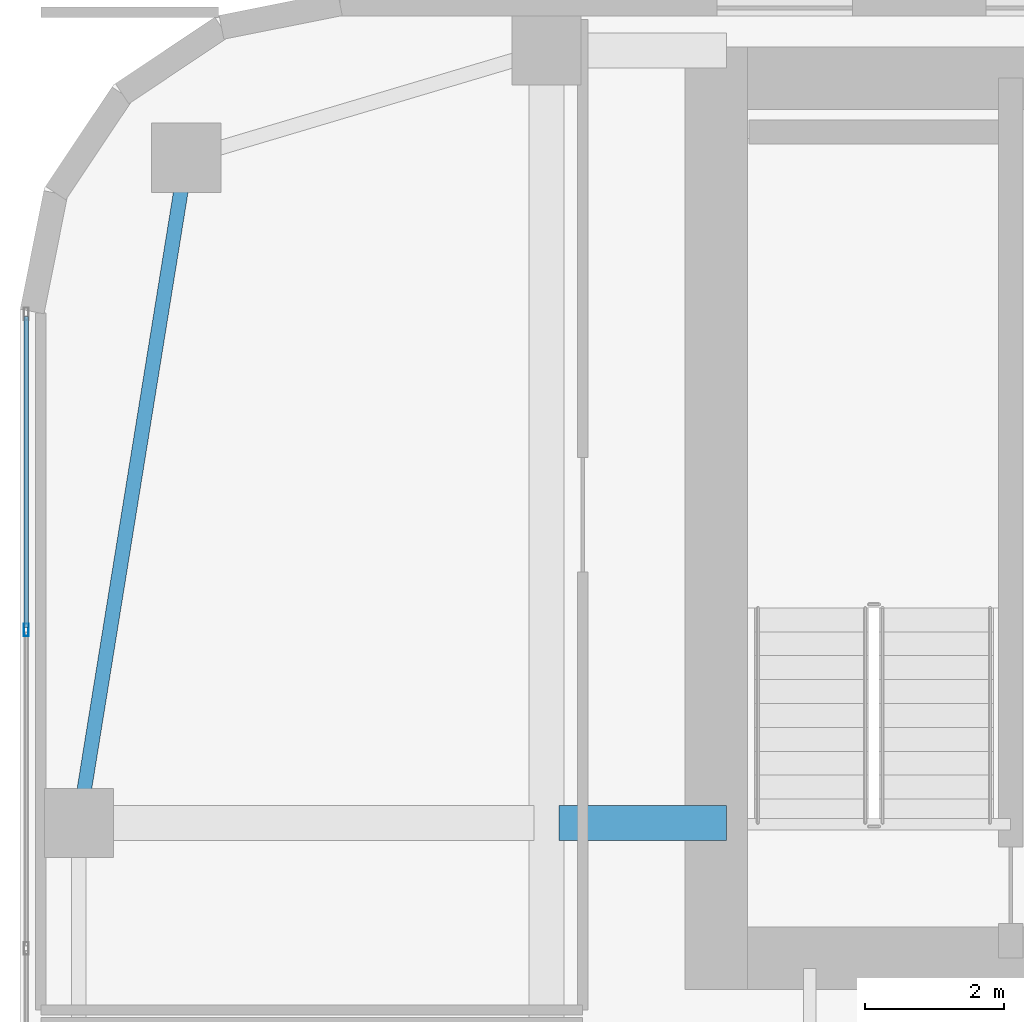
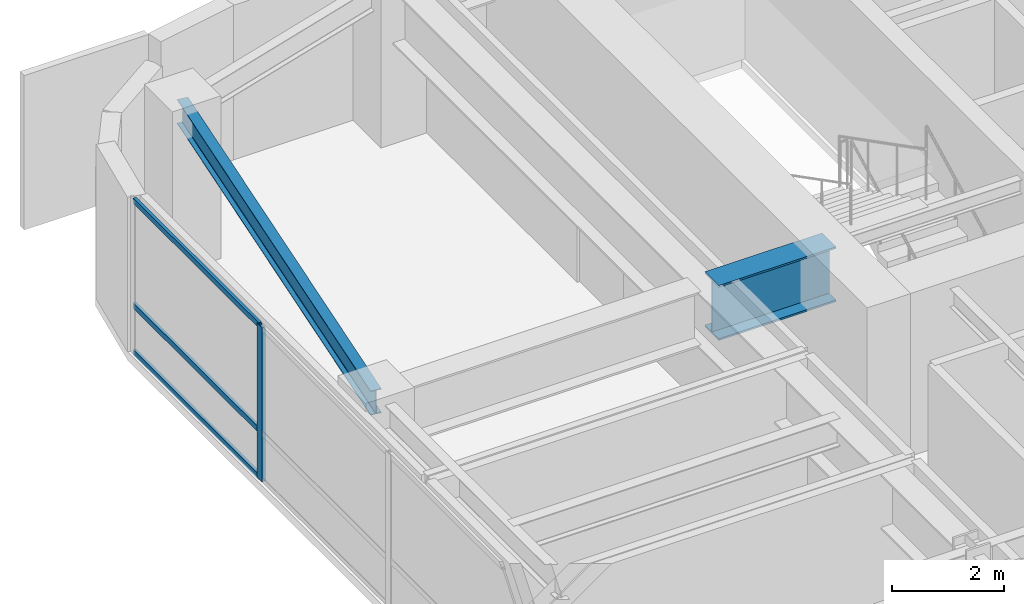
# One storey, part 19 of 30: 4 members, 2 beams, 1 element without a shape of its own.
"""IFC4 building model written with IfcOpenShell, lengths in metres."""

from ifc_helpers import new_model, si_unit, direction, frame, origin, origin_2d, place, context, subcontext, project, spatial, hollow_rectangle, i_section, extrude, source, transform, mapped, material, layer, layer_set, material_profile, profile_set, type_object, type_shapes, element, aggregate, save


model = new_model("IFC4")

# Units and contexts
model_context = context("Model", 3, precision=1e-05, world=origin(), true_north=direction((0.0, 1.0)))
body_context = subcontext(model_context, "Body", "Model", "MODEL_VIEW")
ifc_project = project(units=[si_unit("LENGTHUNIT", "METRE"), si_unit("AREAUNIT", "SQUARE_METRE"), si_unit("VOLUMEUNIT", "CUBIC_METRE"), si_unit("PLANEANGLEUNIT", "RADIAN"), si_unit("MASSUNIT", "GRAM", prefix="KILO")], contexts=[model_context])

# Site, building, storey
site_placement = place(None, origin())
site = spatial("IfcSite", under=ifc_project, at=site_placement, CompositionType="ELEMENT")
building_placement = place(site_placement, origin())
building = spatial("IfcBuilding", under=site, at=building_placement, Name="Tolvann Quenvar Hotel", CompositionType="ELEMENT")
storey_placement = place(building_placement, frame((0.0, 0.0, 56.85009765625)))
storey = spatial("IfcBuildingStorey", under=building, at=storey_placement, Name="L13", CompositionType="ELEMENT", Elevation=56.85009765625)

# Beams
ifc_material_1 = material(Name="Steel Grade 350", Category="steel")
ifc_material_profile_1 = material_profile(ifc_material_1, i_section(OverallWidth=0.208984375, OverallDepth=0.528076171875, WebThickness=0.009521484375, FlangeThickness=0.01318359375, FilletRadius=0.013916015625, at=origin_2d()), Name="530UB82")
ifc_profile_set_1 = profile_set([ifc_material_profile_1], Name="Steel Grade 350")
beam_type_1 = type_object("IfcBeamType", Name="BM_SPAND_530UB82", PredefinedType="SPANDREL", material=ifc_profile_set_1)
shared_shape_1 = source(origin(), body_context, "Body", "SweptSolid", [
    extrude(i_section(OverallWidth=0.208984375, OverallDepth=0.528076171875, WebThickness=0.009521484375, FlangeThickness=0.01318359375, FilletRadius=0.013916015625, at=origin_2d()), origin(), (0.0, 0.0, 1.0), 9.724365234375),
])
type_shapes(beam_type_1, [shared_shape_1])
beam_1_placement = place(storey_placement, frame((0.85009765625, 34.0, 3.10595703125), z_axis=(0.159372939192, 0.987218449105, 0.0), x_axis=(-0.987218449105, 0.159372939192, 0.0)))
element("IfcBeam", 1, at=beam_1_placement, inside=storey, type_object=beam_type_1, Name="BM-L13-FLK-W2", PredefinedType="SPANDREL", context=body_context, shape_type="MappedRepresentation", body=[
    mapped(shared_shape_1, transform((0.0, 0.0, 0.0), x_axis=(1.0, 0.0, 0.0), y_axis=(0.0, 1.0, 0.0), z_axis=(0.0, 0.0, 1.0), scale=1.0)),
])
ifc_material_profile_2 = material_profile(ifc_material_1, i_section(OverallWidth=0.5, OverallDepth=1.199951171875, WebThickness=0.01611328125, FlangeThickness=0.0400390625, at=origin_2d()), Name="1200WB455")
ifc_profile_set_2 = profile_set([ifc_material_profile_2], Name="Steel Grade 350")
beam_type_2 = type_object("IfcBeamType", Name="BM_TG_1200WB455", PredefinedType="USERDEFINED", material=ifc_profile_set_2)
shared_shape_2 = source(origin(), body_context, "Body", "SweptSolid", [
    extrude(i_section(OverallWidth=0.5, OverallDepth=1.199951171875, WebThickness=0.01611328125, FlangeThickness=0.0400390625, at=origin_2d()), origin(), (0.0, 0.0, 1.0), 2.419921875),
])
type_shapes(beam_type_2, [shared_shape_2])
beam_2_placement = place(storey_placement, frame((7.780029296875, 34.0, 2.77001953125), z_axis=(1.0, 0.0, 0.0), x_axis=(0.0, 1.0, 0.0)))
element("IfcBeam", 2, at=beam_2_placement, inside=storey, type_object=beam_type_2, Name="BM-L13-CTW-MID2", ObjectType="TRANSFER GIRDER", PredefinedType="USERDEFINED", context=body_context, shape_type="MappedRepresentation", body=[
    mapped(shared_shape_2, transform((0.0, 0.0, 0.0), x_axis=(1.0, 0.0, 0.0), y_axis=(0.0, 1.0, 0.0), z_axis=(0.0, 0.0, 1.0), scale=1.0)),
])

# Curtain wall, members
ifc_material_2 = material(Name="Thermally broken anodised architectural aluminium 6063-T6 and laminated low-E glass", Category="aluminium")
ifc_layer = layer(ifc_material_2, 0.179931640625)
ifc_layer_set = layer_set([ifc_layer], Name="Thermally broken anodised architectural aluminium 6063-T6 and laminated low-E glass")
curtain_wall_type = type_object("IfcCurtainWallType", Name="CW_SYS_BAND_04", PredefinedType="USERDEFINED", material=ifc_layer_set)
curtain_wall_placement = place(storey_placement, origin())
curtain_wall = element("IfcCurtainWall", 3, at=curtain_wall_placement, inside=storey, type_object=curtain_wall_type, Name="Curtain Wall CW-BAND-04 (CWR-L13-E23)", ObjectType="UNITISED CURTAIN WALL", PredefinedType="USERDEFINED")
ifc_material_3 = material(Name="Anodised architectural aluminium 6063-T6 framing", Category="aluminium")
ifc_material_profile_3 = material_profile(ifc_material_3, hollow_rectangle(XDim=0.070068359375, YDim=0.179931640625, WallThickness=0.00390625, at=origin_2d()), Name="180x70x4RHS")
ifc_profile_set_3 = profile_set([ifc_material_profile_3], Name="Anodised architectural aluminium 6063-T6 framing")
member_type_1 = type_object("IfcMemberType", Name="CW_MULL_180x70", PredefinedType="MULLION", material=ifc_profile_set_3)
shared_shape_3 = source(origin(), body_context, "Body", "SweptSolid", [
    extrude(hollow_rectangle(XDim=0.070068359375, YDim=0.179931640625, WallThickness=0.00390625, at=origin_2d()), origin(), (0.0, 0.0, 1.0), 3.369873046875),
])
type_shapes(member_type_1, [shared_shape_3])
member_1_placement = place(storey_placement, frame((0.090087890625, 36.787109375, 0.0), z_axis=(0.0, 0.0, 1.0), x_axis=(1.0, 0.0, 0.0)))
member_1 = element("IfcMember", 4, at=member_1_placement, type_object=member_type_1, Name="CW-BAND-04 mullion 2", PredefinedType="MULLION", context=body_context, shape_type="MappedRepresentation", body=[
    mapped(shared_shape_3, transform((0.0, 0.0, 0.0), x_axis=(1.0, 0.0, 0.0), y_axis=(0.0, 1.0, 0.0), z_axis=(0.0, 0.0, 1.0), scale=1.0)),
])
ifc_material_profile_4 = material_profile(ifc_material_3, hollow_rectangle(XDim=0.06005859375, YDim=0.1201171875, WallThickness=0.00341796875, at=origin_2d()), Name="120x60x3.5RHS")
ifc_profile_set_4 = profile_set([ifc_material_profile_4], Name="Anodised architectural aluminium 6063-T6 framing")
member_type_2 = type_object("IfcMemberType", Name="CW_TRAN_120x60", PredefinedType="USERDEFINED", material=ifc_profile_set_4)
shared_shape_4 = source(origin(), body_context, "Body", "SweptSolid", [
    extrude(hollow_rectangle(XDim=0.06005859375, YDim=0.1201171875, WallThickness=0.00341796875, at=origin_2d()), origin(), (0.0, 0.0, 1.0), 4.49072265625),
])
type_shapes(member_type_2, [shared_shape_4])
member_2_placement = place(storey_placement, frame((0.090087890625, 41.312744140625, 0.02978515625), z_axis=(0.0, -1.0, 0.0), x_axis=(1.0, 0.0, 0.0)))
member_2 = element("IfcMember", 5, at=member_2_placement, type_object=member_type_2, Name="CW-BAND-04 transom 1.1", ObjectType="TRANSOM", PredefinedType="USERDEFINED", context=body_context, shape_type="MappedRepresentation", body=[
    mapped(shared_shape_4, transform((0.0, 0.0, 0.0), x_axis=(1.0, 0.0, 0.0), y_axis=(0.0, 1.0, 0.0), z_axis=(0.0, 0.0, 1.0), scale=1.0)),
])
member_3_placement = place(storey_placement, frame((0.090087890625, 41.312744140625, 1.0498046875), z_axis=(0.0, -1.0, 0.0), x_axis=(1.0, 0.0, 0.0)))
member_3 = element("IfcMember", 6, at=member_3_placement, type_object=member_type_2, Name="CW-BAND-04 transom 1.2", ObjectType="TRANSOM", PredefinedType="USERDEFINED", context=body_context, shape_type="MappedRepresentation", body=[
    mapped(shared_shape_4, transform((0.0, 0.0, 0.0), x_axis=(1.0, 0.0, 0.0), y_axis=(0.0, 1.0, 0.0), z_axis=(0.0, 0.0, 1.0), scale=1.0)),
])
member_4_placement = place(storey_placement, frame((0.090087890625, 41.312744140625, 3.33984375), z_axis=(0.0, -1.0, 0.0), x_axis=(1.0, 0.0, 0.0)))
member_4 = element("IfcMember", 7, at=member_4_placement, type_object=member_type_2, Name="CW-BAND-04 transom 1.3", ObjectType="TRANSOM", PredefinedType="USERDEFINED", context=body_context, shape_type="MappedRepresentation", body=[
    mapped(shared_shape_4, transform((0.0, 0.0, 0.0), x_axis=(1.0, 0.0, 0.0), y_axis=(0.0, 1.0, 0.0), z_axis=(0.0, 0.0, 1.0), scale=1.0)),
])
aggregate(curtain_wall, [member_1, member_2, member_3, member_4])

save(model, "model.ifc")
